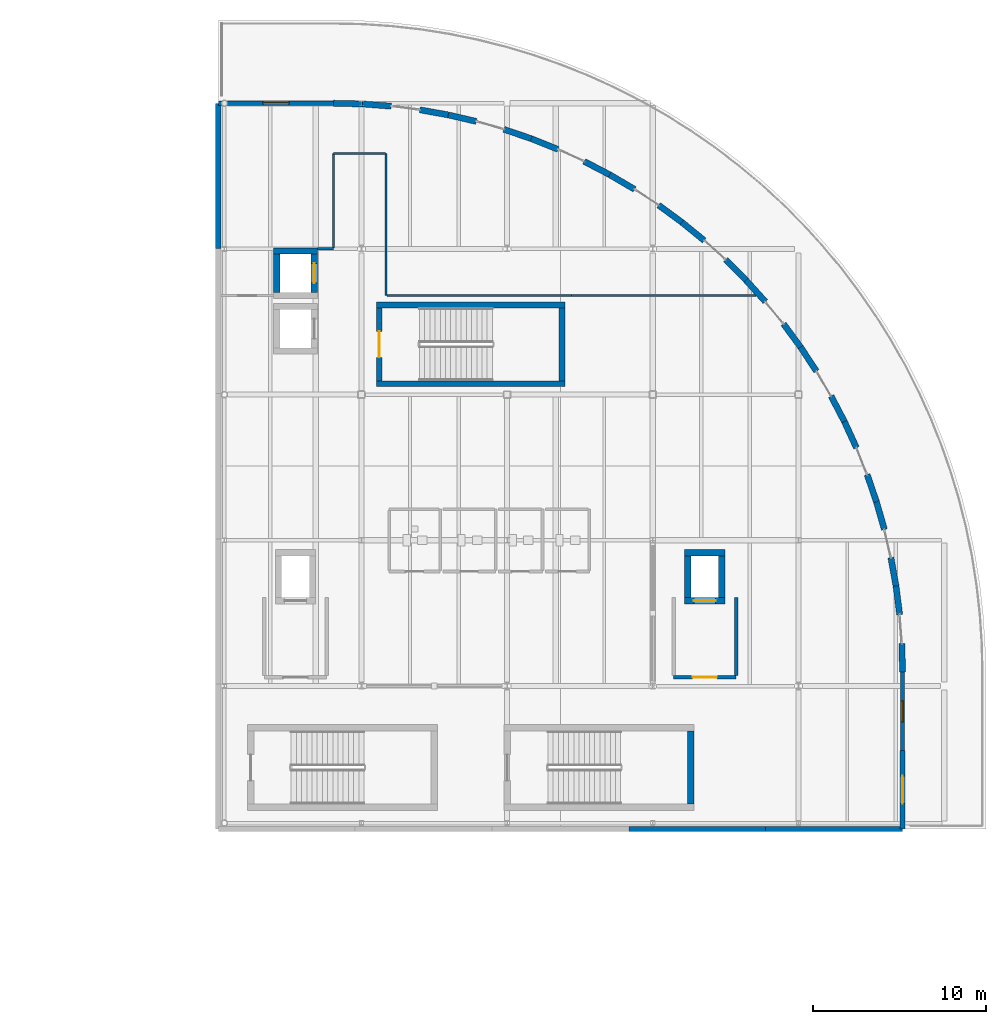
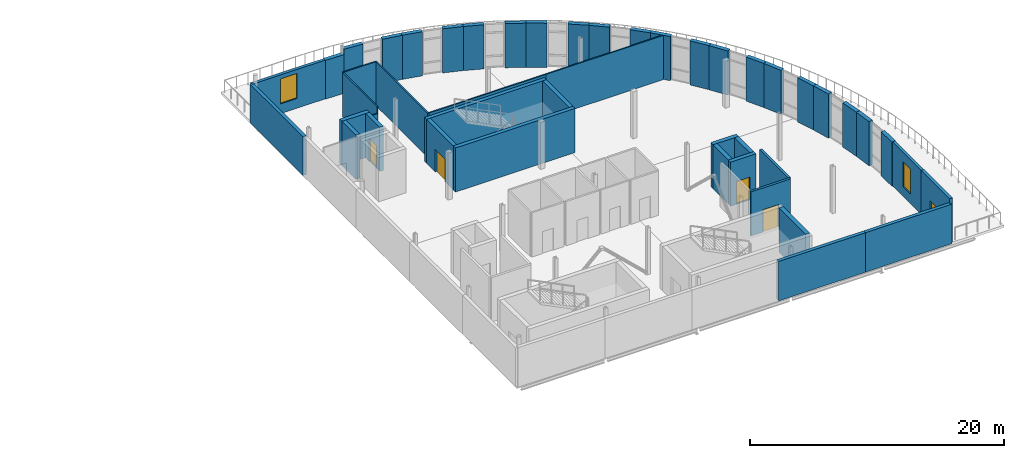
# One storey, part 23 of 40: 47 walls, 5 doors, 2 windows, 7 openings.
"""IFC4 building model written with IfcOpenShell, lengths in metres."""

from ifc_helpers import new_model, si_unit, direction, frame, frame_2d, origin, place, context, subcontext, project, spatial, rectangle, extrude, material, layer, layer_set, type_object, element, fill, save


model = new_model("IFC4")

# Units and contexts
model_context = context("Model", 3, precision=1e-05, world=origin(), true_north=direction((0.0, 1.0)))
body_context = subcontext(model_context, "Body", "Model", "MODEL_VIEW")
ifc_project = project(units=[si_unit("LENGTHUNIT", "METRE"), si_unit("AREAUNIT", "SQUARE_METRE"), si_unit("VOLUMEUNIT", "CUBIC_METRE"), si_unit("PLANEANGLEUNIT", "RADIAN"), si_unit("MASSUNIT", "GRAM", prefix="KILO"), si_unit("THERMODYNAMICTEMPERATUREUNIT", "KELVIN")], contexts=[model_context])

# Site, building, storey
site_placement = place(None, origin())
site = spatial("IfcSite", under=ifc_project, at=site_placement, CompositionType="ELEMENT")
building_placement = place(site_placement, origin())
building = spatial("IfcBuilding", under=site, at=building_placement, Name="Lustrewick Department Store", CompositionType="ELEMENT")
storey_placement = place(building_placement, frame((0.0, 0.0, 31.800048828125)))
storey = spatial("IfcBuildingStorey", under=building, at=storey_placement, Name="L07", CompositionType="ELEMENT", Elevation=31.800048828125)

# Wall, opening, window
ifc_material_1 = material(Name="Precast concrete C40", Category="concrete")
ifc_layer_1 = layer(ifc_material_1, 0.239990234375, Name="Precast concrete C40")
ifc_layer_set_1 = layer_set([ifc_layer_1], Name="Precast concrete C40")
wall_type_1 = type_object("IfcWallType", Name="EW01", PredefinedType="STANDARD", material=ifc_layer_set_1)
wall_1_placement = place(storey_placement, frame((148.800048828125, 55.074951171875, 0.0), z_axis=(0.0, 0.0, 1.0), x_axis=(0.0, 1.0, 0.0)))
wall_1 = element("IfcWall", 1, at=wall_1_placement, inside=storey, type_object=wall_type_1, Name="L07 V4 Exterior Wall EW01", PredefinedType="STANDARD", context=body_context, shape_type="SweptSolid", body=[
    extrude(rectangle(XDim=4.525146484375, YDim=0.239990234375, at=frame_2d((2.2626953125, 0.0))), origin(), (0.0, 0.0, 1.0), 4.244873046875),
])
opening_1_placement = place(wall_1_placement, frame((1.66259765625, 0.0, 0.949951171875)))
opening_1 = element("IfcOpeningElement", 2, at=opening_1_placement, cuts=wall_1, Name="Opening WN13", PredefinedType="OPENING", context=body_context, shape_type="SweptSolid", body=[
    extrude(rectangle(XDim=1.199951171875, YDim=2.39990234375, at=frame_2d((0.60009765625, 1.199951171875))), frame((0.0, 0.1298828125, 0.0), z_axis=(0.0, -1.0, 0.0), x_axis=(1.0, 0.0, 0.0)), (0.0, 0.0, 1.0), 0.260009765625),
])
ifc_material_2 = material(Name="Thermally broken Low-E triple-glazed window", Category="glass")
window_type_1 = type_object("IfcWindowType", Name="WN13", PartitioningType="DOUBLE_PANEL_VERTICAL", PredefinedType="WINDOW", material=ifc_material_2)
window_1_placement = place(opening_1_placement, origin())
window_1 = element("IfcWindow", 3, at=window_1_placement, inside=storey, type_object=window_type_1, Name="L07 Art Nouveau Window WN13", OverallHeight=2.39990234375, OverallWidth=1.199951171875, PartitioningType="SINGLE_PANEL", PredefinedType="WINDOW", context=body_context, shape_type="SweptSolid", body=[
    extrude(rectangle(XDim=1.199951171875, YDim=2.39990234375, at=frame_2d((0.60009765625, 1.199951171875))), frame((0.0, 0.030029296875, 0.0), z_axis=(0.0, -1.0, 0.0), x_axis=(1.0, 0.0, 0.0)), (0.0, 0.0, 1.0), 0.06005859375),
])
fill(opening_1, window_1)

ifc_layer_2 = layer(ifc_material_1, 0.260009765625, Name="Precast concrete C40")
ifc_layer_set_2 = layer_set([ifc_layer_2], Name="Precast concrete C40")
wall_type_2 = type_object("IfcWallType", Name="EW02", PredefinedType="STANDARD", material=ifc_layer_set_2)
wall_2_placement = place(storey_placement, frame((116.0, 92.39990234375, 0.0), z_axis=(0.0, 0.0, 1.0), x_axis=(-1.0, 0.0, 0.0)))
wall_2 = element("IfcWall", 4, at=wall_2_placement, inside=storey, type_object=wall_type_2, Name="L07 V4 Exterior Wall EW02", PredefinedType="STANDARD", context=body_context, shape_type="SweptSolid", body=[
    extrude(rectangle(XDim=6.64990234375, YDim=0.260009765625, at=frame_2d((3.324951171875, 0.0))), origin(), (0.0, 0.0, 1.0), 3.73095703125),
])
opening_2_placement = place(wall_2_placement, frame((2.574951171875, 0.0, 0.949951171875)))
opening_2 = element("IfcOpeningElement", 5, at=opening_2_placement, cuts=wall_2, Name="Opening WN14", PredefinedType="OPENING", context=body_context, shape_type="SweptSolid", body=[
    extrude(rectangle(XDim=1.5, YDim=2.39990234375, at=frame_2d((0.75, 1.199951171875))), frame((0.0, 0.14013671875, 0.0), z_axis=(0.0, -1.0, 0.0), x_axis=(1.0, 0.0, 0.0)), (0.0, 0.0, 1.0), 0.280029296875),
])
window_type_2 = type_object("IfcWindowType", Name="WN14", PartitioningType="DOUBLE_PANEL_VERTICAL", PredefinedType="WINDOW", material=ifc_material_2)
window_2_placement = place(opening_2_placement, origin())
window_2 = element("IfcWindow", 6, at=window_2_placement, inside=storey, type_object=window_type_2, Name="L07 Art Nouveau Window WN14", OverallHeight=2.39990234375, OverallWidth=1.5, PartitioningType="SINGLE_PANEL", PredefinedType="WINDOW", context=body_context, shape_type="SweptSolid", body=[
    extrude(rectangle(XDim=1.5, YDim=2.39990234375, at=frame_2d((0.75, 1.199951171875))), frame((0.0, 0.030029296875, 0.0), z_axis=(0.0, -1.0, 0.0), x_axis=(1.0, 0.0, 0.0)), (0.0, 0.0, 1.0), 0.06005859375),
])
fill(opening_2, window_2)

# Wall, opening, door
ifc_layer_3 = layer(ifc_material_1, 0.280029296875, Name="Precast concrete C40")
ifc_layer_set_3 = layer_set([ifc_layer_3], Name="Precast concrete C40")
wall_type_3 = type_object("IfcWallType", Name="EW03", PredefinedType="STANDARD", material=ifc_layer_set_3)
wall_3_placement = place(storey_placement, frame((148.800048828125, 50.550048828125, 0.0), z_axis=(0.0, 0.0, 1.0), x_axis=(0.0, 1.0, 0.0)))
wall_3 = element("IfcWall", 7, at=wall_3_placement, inside=storey, type_object=wall_type_3, Name="L07 V4 Exterior Wall EW03", PredefinedType="STANDARD", context=body_context, shape_type="SweptSolid", body=[
    extrude(rectangle(XDim=4.52490234375, YDim=0.280029296875, at=frame_2d((2.262451171875, 0.0))), origin(), (0.0, 0.0, 1.0), 4.244873046875),
])
opening_3_placement = place(wall_3_placement, frame((1.46240234375, 0.0, 0.0)))
opening_3 = element("IfcOpeningElement", 8, at=opening_3_placement, cuts=wall_3, Name="Opening D-TR08", PredefinedType="OPENING", context=body_context, shape_type="SweptSolid", body=[
    extrude(rectangle(XDim=1.60009765625, YDim=2.199951171875, at=frame_2d((0.800048828125, 1.10009765625))), frame((0.0, 0.14990234375, 0.0), z_axis=(0.0, -1.0, 0.0), x_axis=(1.0, 0.0, 0.0)), (0.0, 0.0, 1.0), 0.300048828125),
])
ifc_material_3 = material(Name="Steel fire-rated terrace exit door EI 60", Category="steel")
door_type_1 = type_object("IfcDoorType", Name="DT-03", OperationType="NOTDEFINED", PredefinedType="DOOR", material=ifc_material_3)
door_1_placement = place(opening_3_placement, frame((1.60009765625, 0.0, 0.0), z_axis=(0.0, 0.0, 1.0), x_axis=(-1.0, 0.0, 0.0)))
door_1 = element("IfcDoor", 9, at=door_1_placement, inside=storey, type_object=door_type_1, Name="L07 Terrace and Refuge Access Door D-TR08", OperationType="DOUBLE_DOOR_SINGLE_SWING", OverallHeight=2.199951171875, OverallWidth=1.60009765625, PredefinedType="DOOR", context=body_context, shape_type="SweptSolid", body=[
    extrude(rectangle(XDim=1.60009765625, YDim=2.199951171875, at=frame_2d((0.800048828125, 1.10009765625))), frame((0.0, 0.02490234375, 0.0), z_axis=(0.0, -1.0, 0.0), x_axis=(1.0, 0.0, 0.0)), (0.0, 0.0, 1.0), 0.050048828125),
])
fill(opening_3, door_1)

# Walls
ifc_layer_4 = layer(ifc_material_1, 0.300048828125, Name="Precast concrete C40")
ifc_layer_set_4 = layer_set([ifc_layer_4], Name="Precast concrete C40")
wall_type_4 = type_object("IfcWallType", Name="EW04", PredefinedType="STANDARD", material=ifc_layer_set_4)
wall_4_placement = place(storey_placement, frame((133.02001953125, 50.550048828125, 0.0), z_axis=(0.0, 0.0, 1.0), x_axis=(1.0, 0.0, 0.0)))
element("IfcWall", 10, at=wall_4_placement, inside=storey, type_object=wall_type_4, Name="L07 V4 Exterior Wall EW04", PredefinedType="STANDARD", context=body_context, shape_type="SweptSolid", body=[
    extrude(rectangle(XDim=7.889892578125, YDim=0.300048828125, at=frame_2d((3.94482421875, 0.0))), origin(), (0.0, 0.0, 1.0), 3.796875),
])
wall_5_placement = place(storey_placement, frame((140.909912109375, 50.550048828125, 0.0), z_axis=(0.0, 0.0, 1.0), x_axis=(1.0, 0.0, 0.0)))
element("IfcWall", 11, at=wall_5_placement, inside=storey, type_object=wall_type_4, Name="L07 V4 Exterior Wall EW04", PredefinedType="STANDARD", context=body_context, shape_type="SweptSolid", body=[
    extrude(rectangle(XDim=7.89013671875, YDim=0.300048828125, at=frame_2d((3.945068359375, 0.0))), origin(), (0.0, 0.0, 1.0), 3.796875),
])
wall_6_placement = place(storey_placement, frame((109.35009765625, 92.39990234375, 0.0), z_axis=(0.0, 0.0, 1.0), x_axis=(0.0, -1.0, 0.0)))
element("IfcWall", 12, at=wall_6_placement, inside=storey, type_object=wall_type_4, Name="L07 V4 Exterior Wall EW04", PredefinedType="STANDARD", context=body_context, shape_type="SweptSolid", body=[
    extrude(rectangle(XDim=8.369873046875, YDim=0.300048828125, at=frame_2d((4.18505859375, 0.0))), origin(), (0.0, 0.0, 1.0), 3.73095703125),
])
ifc_layer_5 = layer(ifc_material_1, 0.35009765625, Name="Precast concrete C40")
ifc_layer_set_5 = layer_set([ifc_layer_5], Name="Precast concrete C40")
wall_type_5 = type_object("IfcWallType", Name="EW06", PredefinedType="STANDARD", material=ifc_layer_set_5)
wall_7_placement = place(storey_placement, frame((148.800048828125, 59.60009765625, 0.0), z_axis=(0.0, 0.0, 1.0), x_axis=(-0.025418004921, 0.999676910319, 0.0)))
element("IfcWall", 13, at=wall_7_placement, inside=storey, type_object=wall_type_5, Name="L07 V4 Exterior Wall EW06", PredefinedType="STANDARD", context=body_context, shape_type="SweptSolid", body=[
    extrude(rectangle(XDim=1.66162109375, YDim=0.35009765625, at=frame_2d((0.830810546875, 0.0))), origin(), (0.0, 0.0, 1.0), 4.244873046875),
])
for number, where, z_axis, x_axis, name in (
    (14, (148.631591796875, 62.918212890625, 0.0), (0.0, 0.0, 1.0), (-0.126185943306, 0.992006606688, 0.0), "L07 V4 Exterior Wall EW06"),
    (15, (148.421875, 64.56689453125, 0.0), (0.0, 0.0, 1.0), (-0.17644144432, 0.98431113817, 0.0), "L07 V4 Exterior Wall EW06"),
    (16, (147.7529296875, 67.8212890625, 0.0), (0.0, 0.0, 1.0), (-0.27499273934, 0.961446302874, 0.0), "L07 V4 Exterior Wall EW06"),
    (17, (147.2958984375, 69.419189453125, 0.0), (0.0, 0.0, 1.0), (-0.323490398793, 0.9462314526, 0.0), "L07 V4 Exterior Wall EW06"),
    (18, (146.141845703125, 72.534912109375, 0.0), (0.0, 0.0, 1.0), (-0.41752967819, 0.908663286279, 0.0), "L07 V4 Exterior Wall EW06"),
):
    element("IfcWall", number, at=place(storey_placement, frame(where, z_axis=z_axis, x_axis=x_axis)), inside=storey, type_object=wall_type_5, Name=name, PredefinedType="STANDARD", context=body_context, shape_type="SweptSolid", body=[
        extrude(rectangle(XDim=1.661865234375, YDim=0.35009765625, at=frame_2d((0.8310546875, 0.0))), origin(), (0.0, 0.0, 1.0), 4.244873046875),
    ])
wall_8_placement = place(storey_placement, frame((145.447998046875, 74.044921875, 0.0), z_axis=(0.0, 0.0, 1.0), x_axis=(-0.462952589206, 0.886383043694, 0.0)))
element("IfcWall", 19, at=wall_8_placement, inside=storey, type_object=wall_type_5, Name="L07 V4 Exterior Wall EW06", PredefinedType="STANDARD", context=body_context, shape_type="SweptSolid", body=[
    extrude(rectangle(XDim=1.66162109375, YDim=0.35009765625, at=frame_2d((0.830810546875, 0.0))), origin(), (0.0, 0.0, 1.0), 4.244873046875),
])
wall_9_placement = place(storey_placement, frame((143.83544921875, 76.949951171875, 0.0), z_axis=(0.0, 0.0, 1.0), x_axis=(-0.550285431353, 0.83497661287, 0.0)))
element("IfcWall", 20, at=wall_9_placement, inside=storey, type_object=wall_type_5, Name="L07 V4 Exterior Wall EW06", PredefinedType="STANDARD", context=body_context, shape_type="SweptSolid", body=[
    extrude(rectangle(XDim=1.661865234375, YDim=0.35009765625, at=frame_2d((0.8310546875, 0.0))), origin(), (0.0, 0.0, 1.0), 4.244873046875),
])
for number, where, z_axis, x_axis, name in (
    (21, (142.9208984375, 78.337646484375, 0.0), (0.0, 0.0, 1.0), (-0.591834928338, 0.806059189886, 0.0), "L07 V4 Exterior Wall EW06"),
    (22, (140.88720703125, 80.965087890625, 0.0), (0.0, 0.0, 1.0), (-0.670424584355, 0.741977679376, 0.0), "L07 V4 Exterior Wall EW06"),
):
    element("IfcWall", number, at=place(storey_placement, frame(where, z_axis=z_axis, x_axis=x_axis)), inside=storey, type_object=wall_type_5, Name=name, PredefinedType="STANDARD", context=body_context, shape_type="SweptSolid", body=[
        extrude(rectangle(XDim=1.66162109375, YDim=0.35009765625, at=frame_2d((0.830810546875, 0.0))), origin(), (0.0, 0.0, 1.0), 4.244873046875),
    ])
wall_10_placement = place(storey_placement, frame((139.773193359375, 82.197998046875, 0.0), z_axis=(0.0, 0.0, 1.0), x_axis=(-0.707033326995, 0.707180227749, 0.0)))
element("IfcWall", 23, at=wall_10_placement, inside=storey, type_object=wall_type_5, Name="L07 V4 Exterior Wall EW06", PredefinedType="STANDARD", context=body_context, shape_type="SweptSolid", body=[
    extrude(rectangle(XDim=1.661865234375, YDim=0.35009765625, at=frame_2d((0.8310546875, 0.0))), origin(), (0.0, 0.0, 1.0), 4.244873046875),
])
wall_11_placement = place(storey_placement, frame((137.364990234375, 84.4873046875, 0.0), z_axis=(0.0, 0.0, 1.0), x_axis=(-0.775029758243, 0.631924737479, 0.0)))
element("IfcWall", 24, at=wall_11_placement, inside=storey, type_object=wall_type_5, Name="L07 V4 Exterior Wall EW06", PredefinedType="STANDARD", context=body_context, shape_type="SweptSolid", body=[
    extrude(rectangle(XDim=1.66162109375, YDim=0.35009765625, at=frame_2d((0.830810546875, 0.0))), origin(), (0.0, 0.0, 1.0), 4.244873046875),
])
for number, where, z_axis, x_axis, name in (
    (25, (136.0771484375, 85.537353515625, 0.0), (0.0, 0.0, 1.0), (-0.806040564705, 0.591860294368, 0.0), "L07 V4 Exterior Wall EW06"),
    (26, (133.35009765625, 87.435546875, 0.0), (0.0, 0.0, 1.0), (-0.861779333141, 0.507283334016, 0.0), "L07 V4 Exterior Wall EW06"),
):
    element("IfcWall", number, at=place(storey_placement, frame(where, z_axis=z_axis, x_axis=x_axis)), inside=storey, type_object=wall_type_5, Name=name, PredefinedType="STANDARD", context=body_context, shape_type="SweptSolid", body=[
        extrude(rectangle(XDim=1.661865234375, YDim=0.35009765625, at=frame_2d((0.8310546875, 0.0))), origin(), (0.0, 0.0, 1.0), 4.244873046875),
    ])
wall_12_placement = place(storey_placement, frame((131.91796875, 88.278564453125, 0.0), z_axis=(0.0, 0.0, 1.0), x_axis=(-0.886354246744, 0.46300772054, 0.0)))
element("IfcWall", 27, at=wall_12_placement, inside=storey, type_object=wall_type_5, Name="L07 V4 Exterior Wall EW06", PredefinedType="STANDARD", context=body_context, shape_type="SweptSolid", body=[
    extrude(rectangle(XDim=1.662109375, YDim=0.35009765625, at=frame_2d((0.8310546875, 0.0))), origin(), (0.0, 0.0, 1.0), 4.244873046875),
])
for number, where, z_axis, x_axis, name in (
    (28, (128.934814453125, 89.74169921875, 0.0), (0.0, 0.0, 1.0), (-0.928598219221, 0.371086711241, 0.0), "L07 V4 Exterior Wall EW06"),
    (29, (127.3916015625, 90.3583984375, 0.0), (0.0, 0.0, 1.0), (-0.946276413519, 0.323358855171, 0.0), "L07 V4 Exterior Wall EW06"),
    (30, (124.221435546875, 91.352783203125, 0.0), (0.0, 0.0, 1.0), (-0.974108177864, 0.226082413774, 0.0), "L07 V4 Exterior Wall EW06"),
    (31, (122.6025390625, 91.728515625, 0.0), (0.0, 0.0, 1.0), (-0.98431113817, 0.17644144432, 0.0), "L07 V4 Exterior Wall EW06"),
    (32, (119.318359375, 92.231689453125, 0.0), (0.0, 0.0, 1.0), (-0.997111247326, 0.075954989667, 0.0), "L07 V4 Exterior Wall EW06"),
):
    element("IfcWall", number, at=place(storey_placement, frame(where, z_axis=z_axis, x_axis=x_axis)), inside=storey, type_object=wall_type_5, Name=name, PredefinedType="STANDARD", context=body_context, shape_type="SweptSolid", body=[
        extrude(rectangle(XDim=1.661865234375, YDim=0.35009765625, at=frame_2d((0.8310546875, 0.0))), origin(), (0.0, 0.0, 1.0), 4.244873046875),
    ])
wall_13_placement = place(storey_placement, frame((117.661376953125, 92.35791015625, 0.0), z_axis=(0.0, 0.0, 1.0), x_axis=(-0.999680726692, 0.025267462894, 0.0)))
element("IfcWall", 33, at=wall_13_placement, inside=storey, type_object=wall_type_5, Name="L07 V4 Exterior Wall EW06", PredefinedType="STANDARD", context=body_context, shape_type="SweptSolid", body=[
    extrude(rectangle(XDim=1.661865234375, YDim=0.35009765625, at=frame_2d((0.8310546875, 0.0))), origin(), (0.0, 0.0, 1.0), 3.73095703125),
])

# Wall, opening, door
ifc_material_4 = material(Name="Autoclaved aerated concrete blockwork and fire board", Category="masonry")
ifc_layer_6 = layer(ifc_material_4, 0.205078125, Name="Autoclaved aerated concrete blockwork and fire board")
ifc_layer_set_6 = layer_set([ifc_layer_6], Name="Autoclaved aerated concrete blockwork and fire board")
wall_type_6 = type_object("IfcWallType", Name="PW02", PredefinedType="PARTITIONING", material=ifc_layer_set_6)
wall_14_placement = place(storey_placement, frame((135.60009765625, 59.300048828125, 0.0), z_axis=(0.0, 0.0, 1.0), x_axis=(1.0, 0.0, 0.0)))
wall_14 = element("IfcWall", 34, at=wall_14_placement, inside=storey, type_object=wall_type_6, Name="L07 Firefighting Lift Lobby FFL-03 PW02", PredefinedType="PARTITIONING", context=body_context, shape_type="SweptSolid", body=[
    extrude(rectangle(XDim=3.599853515625, YDim=0.205078125, at=frame_2d((1.7998046875, 0.0))), origin(), (0.0, 0.0, 1.0), 4.244873046875),
])
opening_4_placement = place(wall_14_placement, frame((1.10009765625, 0.0, 0.0)))
opening_4 = element("IfcOpeningElement", 35, at=opening_4_placement, cuts=wall_14, Name="Opening D-L07-041", PredefinedType="OPENING", context=body_context, shape_type="SweptSolid", body=[
    extrude(rectangle(XDim=1.39990234375, YDim=2.14990234375, at=frame_2d((0.699951171875, 1.074951171875))), frame((0.0, 0.112548828125, 0.0), z_axis=(0.0, -1.0, 0.0), x_axis=(1.0, 0.0, 0.0)), (0.0, 0.0, 1.0), 0.22509765625),
])
ifc_material_5 = material(Name="Steel fire door Class B EI 60", Category="steel")
door_type_2 = type_object("IfcDoorType", Name="DT-08", OperationType="NOTDEFINED", PredefinedType="DOOR", material=ifc_material_5)
door_2_placement = place(opening_4_placement, origin())
door_2 = element("IfcDoor", 36, at=door_2_placement, inside=storey, type_object=door_type_2, Name="L07 Firefighting Lift Lobby FFL-03 Door D-L07-041", OperationType="SINGLE_SWING_RIGHT", OverallHeight=2.14990234375, OverallWidth=1.39990234375, PredefinedType="DOOR", context=body_context, shape_type="SweptSolid", body=[
    extrude(rectangle(XDim=1.39990234375, YDim=2.14990234375, at=frame_2d((0.699951171875, 1.074951171875))), frame((0.0, 0.02490234375, 0.0), z_axis=(0.0, -1.0, 0.0), x_axis=(1.0, 0.0, 0.0)), (0.0, 0.0, 1.0), 0.050048828125),
])
fill(opening_4, door_2)

# Walls
wall_15_placement = place(storey_placement, frame((139.199951171875, 59.3974609375, 0.0), z_axis=(0.0, 0.0, 1.0), x_axis=(0.0, 1.0, 0.0)))
element("IfcWall", 37, at=wall_15_placement, inside=storey, type_object=wall_type_6, Name="L07 Firefighting Lift Lobby FFL-03 PW02", PredefinedType="PARTITIONING", context=body_context, shape_type="SweptSolid", body=[
    extrude(rectangle(XDim=4.50244140625, YDim=0.205078125, at=frame_2d((2.251220703125, 0.0))), origin(), (0.0, 0.0, 1.0), 4.244873046875),
])
ifc_material_6 = material(Name="Acoustic gypsum stud office partition", Category="gypsum")
ifc_layer_7 = layer(ifc_material_6, 0.1201171875, Name="Acoustic gypsum stud office partition")
ifc_layer_set_7 = layer_set([ifc_layer_7], Name="Acoustic gypsum stud office partition")
wall_type_7 = type_object("IfcWallType", Name="PW07", PredefinedType="PARTITIONING", material=ifc_layer_set_7)
wall_16_placement = place(storey_placement, frame((119.010009765625, 89.5, 0.0), z_axis=(0.0, 0.0, 1.0), x_axis=(0.0, -1.0, 0.0)))
element("IfcWall", 38, at=wall_16_placement, inside=storey, type_object=wall_type_7, Name="L07 Store Administration Office PW07", PredefinedType="PARTITIONING", context=body_context, shape_type="SweptSolid", body=[
    extrude(rectangle(XDim=8.194580078125, YDim=0.1201171875, at=frame_2d((4.09716796875, 0.0))), origin(), (0.0, 0.0, 1.0), 4.244873046875),
])
wall_17_placement = place(storey_placement, frame((115.06005859375, 84.010009765625, 0.0), z_axis=(0.0, 0.0, 1.0), x_axis=(1.0, 0.0, 0.0)))
element("IfcWall", 39, at=wall_17_placement, inside=storey, type_object=wall_type_7, Name="L07 Store Administration Office PW07", PredefinedType="PARTITIONING", context=body_context, shape_type="SweptSolid", body=[
    extrude(rectangle(XDim=0.929931640625, YDim=0.1201171875, at=frame_2d((0.46484375, 0.0))), origin(), (0.0, 0.0, 1.0), 3.640869140625),
])
wall_18_placement = place(storey_placement, frame((119.06494140625, 81.305419921875, 0.0), z_axis=(0.0, 0.0, 1.0), x_axis=(1.0, 0.0, 0.0)))
element("IfcWall", 40, at=wall_18_placement, inside=storey, type_object=wall_type_7, Name="L07 Store Administration Office PW07", PredefinedType="PARTITIONING", context=body_context, shape_type="SweptSolid", body=[
    extrude(rectangle(XDim=10.635498046875, YDim=0.1201171875, at=frame_2d((5.31787109375, 0.0))), origin(), (0.0, 0.0, 1.0), 4.244873046875),
])
wall_19_placement = place(storey_placement, frame((129.700439453125, 81.305419921875, 0.0), z_axis=(0.0, 0.0, 1.0), x_axis=(1.0, 0.0, 0.0)))
element("IfcWall", 41, at=wall_19_placement, inside=storey, type_object=wall_type_7, Name="L07 Store Administration Office PW07", PredefinedType="PARTITIONING", context=body_context, shape_type="SweptSolid", body=[
    extrude(rectangle(XDim=10.650146484375, YDim=0.1201171875, at=frame_2d((5.3251953125, 0.0))), origin(), (0.0, 0.0, 1.0), 4.244873046875),
])
wall_20_placement = place(storey_placement, frame((115.989990234375, 84.06494140625, 0.0), z_axis=(0.0, 0.0, 1.0), x_axis=(0.0, 1.0, 0.0)))
element("IfcWall", 42, at=wall_20_placement, inside=storey, type_object=wall_type_7, Name="L07 Store Administration Office PW07", PredefinedType="PARTITIONING", context=body_context, shape_type="SweptSolid", body=[
    extrude(rectangle(XDim=5.43505859375, YDim=0.1201171875, at=frame_2d((2.717529296875, 0.0))), origin(), (0.0, 0.0, 1.0), 4.244873046875),
])
wall_21_placement = place(storey_placement, frame((116.0, 89.510009765625, 0.0), z_axis=(0.0, 0.0, 1.0), x_axis=(1.0, 0.0, 0.0)))
element("IfcWall", 43, at=wall_21_placement, inside=storey, type_object=wall_type_7, Name="L07 Store Administration Office PW07", PredefinedType="PARTITIONING", context=body_context, shape_type="SweptSolid", body=[
    extrude(rectangle(XDim=3.0, YDim=0.1201171875, at=frame_2d((1.5, 0.0))), origin(), (0.0, 0.0, 1.0), 4.244873046875),
])
ifc_material_7 = material(Name="Concrete C40", Category="concrete")
ifc_layer_8 = layer(ifc_material_7, 0.3798828125, Name="Concrete C40")
ifc_layer_set_8 = layer_set([ifc_layer_8], Name="Concrete C40")
wall_type_8 = type_object("IfcWallType", Name="SW03", PredefinedType="SHEAR", material=ifc_layer_set_8)
wall_22_placement = place(storey_placement, frame((136.590087890625, 52.0, 0.0), z_axis=(0.0, 0.0, 1.0), x_axis=(0.0, 1.0, 0.0)))
element("IfcWall", 44, at=wall_22_placement, inside=storey, type_object=wall_type_8, Name="L07 Stair Core ST11 Shear Wall E", PredefinedType="SHEAR", context=body_context, shape_type="SweptSolid", body=[
    extrude(rectangle(XDim=4.199951171875, YDim=0.3798828125, at=frame_2d((2.10009765625, 0.0))), origin(), (0.0, 0.0, 1.0), 4.244873046875),
])

# Wall, opening, door
ifc_layer_9 = layer(ifc_material_7, 0.360107421875, Name="Concrete C40")
ifc_layer_set_9 = layer_set([ifc_layer_9], Name="Concrete C40")
wall_type_9 = type_object("IfcWallType", Name="SW04", PredefinedType="SHEAR", material=ifc_layer_set_9)
wall_23_placement = place(storey_placement, frame((136.239990234375, 63.719970703125, 0.0), z_axis=(0.0, 0.0, 1.0), x_axis=(1.0, 0.0, 0.0)))
wall_23 = element("IfcWall", 45, at=wall_23_placement, inside=storey, type_object=wall_type_9, Name="L07 Lift FFL-03 Shaft Wall -Y", PredefinedType="SHEAR", context=body_context, shape_type="SweptSolid", body=[
    extrude(rectangle(XDim=2.320068359375, YDim=0.360107421875, at=frame_2d((1.16015625, 0.0))), origin(), (0.0, 0.0, 1.0), 4.244873046875),
])
opening_5_placement = place(wall_23_placement, frame((0.534912109375, 0.0, 0.0)))
opening_5 = element("IfcOpeningElement", 46, at=opening_5_placement, cuts=wall_23, Name="Opening LD-L07-01", PredefinedType="OPENING", context=body_context, shape_type="SweptSolid", body=[
    extrude(rectangle(XDim=1.25, YDim=2.199951171875, at=frame_2d((0.625, 1.10009765625))), frame((0.0, 0.18994140625, 0.0), z_axis=(0.0, -1.0, 0.0), x_axis=(1.0, 0.0, 0.0)), (0.0, 0.0, 1.0), 0.380126953125),
])
ifc_material_8 = material(Name="Stainless steel firefighting lift landing door EI 90", Category="steel")
door_type_3 = type_object("IfcDoorType", Name="DT-15", OperationType="NOTDEFINED", PredefinedType="DOOR", material=ifc_material_8)
door_3_placement = place(opening_5_placement, frame((1.25, 0.0, 0.0), z_axis=(0.0, 0.0, 1.0), x_axis=(-1.0, 0.0, 0.0)))
door_3 = element("IfcDoor", 47, at=door_3_placement, inside=storey, type_object=door_type_3, Name="L07 Lift FFL-03 Sliding Landing Door LD-L07-01", OperationType="DOUBLE_DOOR_SLIDING", OverallHeight=2.199951171875, OverallWidth=1.25, PredefinedType="DOOR", context=body_context, shape_type="SweptSolid", body=[
    extrude(rectangle(XDim=1.25, YDim=2.199951171875, at=frame_2d((0.625, 1.10009765625))), frame((0.0, 0.02490234375, 0.0), z_axis=(0.0, -1.0, 0.0), x_axis=(1.0, 0.0, 0.0)), (0.0, 0.0, 1.0), 0.050048828125),
])
fill(opening_5, door_3)

# Walls
wall_24_placement = place(storey_placement, frame((138.3798828125, 63.89990234375, 0.0), z_axis=(0.0, 0.0, 1.0), x_axis=(0.0, 1.0, 0.0)))
element("IfcWall", 48, at=wall_24_placement, inside=storey, type_object=wall_type_9, Name="L07 Lift FFL-03 Shaft Wall +X", PredefinedType="SHEAR", context=body_context, shape_type="SweptSolid", body=[
    extrude(rectangle(XDim=2.400146484375, YDim=0.360107421875, at=frame_2d((1.2001953125, 0.0))), origin(), (0.0, 0.0, 1.0), 4.244873046875),
])
wall_25_placement = place(storey_placement, frame((138.56005859375, 66.47998046875, 0.0), z_axis=(0.0, 0.0, 1.0), x_axis=(-1.0, 0.0, 0.0)))
element("IfcWall", 49, at=wall_25_placement, inside=storey, type_object=wall_type_9, Name="L07 Lift FFL-03 Shaft Wall +Y", PredefinedType="SHEAR", context=body_context, shape_type="SweptSolid", body=[
    extrude(rectangle(XDim=2.320068359375, YDim=0.360107421875, at=frame_2d((1.16015625, 0.0))), origin(), (0.0, 0.0, 1.0), 4.244873046875),
])
wall_26_placement = place(storey_placement, frame((136.419921875, 66.300048828125, 0.0), z_axis=(0.0, 0.0, 1.0), x_axis=(0.0, -1.0, 0.0)))
element("IfcWall", 50, at=wall_26_placement, inside=storey, type_object=wall_type_9, Name="L07 Lift FFL-03 Shaft Wall -X", PredefinedType="SHEAR", context=body_context, shape_type="SweptSolid", body=[
    extrude(rectangle(XDim=2.400146484375, YDim=0.360107421875, at=frame_2d((1.2001953125, 0.0))), origin(), (0.0, 0.0, 1.0), 4.244873046875),
])

# Wall, opening, door
wall_27_placement = place(storey_placement, frame((114.8798828125, 81.5, 0.0), z_axis=(0.0, 0.0, 1.0), x_axis=(0.0, 1.0, 0.0)))
wall_27 = element("IfcWall", 51, at=wall_27_placement, inside=storey, type_object=wall_type_9, Name="L07 Lift PL-08 Shaft Wall +X", PredefinedType="SHEAR", context=body_context, shape_type="SweptSolid", body=[
    extrude(rectangle(XDim=2.199951171875, YDim=0.360107421875, at=frame_2d((1.10009765625, 0.0))), origin(), (0.0, 0.0, 1.0), 4.244873046875),
])
opening_6_placement = place(wall_27_placement, frame((0.52490234375, 0.0, 0.0)))
opening_6 = element("IfcOpeningElement", 52, at=opening_6_placement, cuts=wall_27, Name="Opening LD-L07-06", PredefinedType="OPENING", context=body_context, shape_type="SweptSolid", body=[
    extrude(rectangle(XDim=1.14990234375, YDim=2.199951171875, at=frame_2d((0.574951171875, 1.10009765625))), frame((0.0, 0.18994140625, 0.0), z_axis=(0.0, -1.0, 0.0), x_axis=(1.0, 0.0, 0.0)), (0.0, 0.0, 1.0), 0.380126953125),
])
ifc_material_9 = material(Name="Brushed bronze passenger lift landing door EI 60", Category="steel")
door_type_4 = type_object("IfcDoorType", Name="DT-16", OperationType="NOTDEFINED", PredefinedType="DOOR", material=ifc_material_9)
door_4_placement = place(opening_6_placement, frame((1.14990234375, 0.0, 0.0), z_axis=(0.0, 0.0, 1.0), x_axis=(-1.0, 0.0, 0.0)))
door_4 = element("IfcDoor", 53, at=door_4_placement, inside=storey, type_object=door_type_4, Name="L07 Lift PL-08 Sliding Landing Door LD-L07-06", OperationType="DOUBLE_DOOR_SLIDING", OverallHeight=2.199951171875, OverallWidth=1.14990234375, PredefinedType="DOOR", context=body_context, shape_type="SweptSolid", body=[
    extrude(rectangle(XDim=1.14990234375, YDim=2.199951171875, at=frame_2d((0.574951171875, 1.10009765625))), frame((0.0, 0.02490234375, 0.0), z_axis=(0.0, -1.0, 0.0), x_axis=(1.0, 0.0, 0.0)), (0.0, 0.0, 1.0), 0.050048828125),
])
fill(opening_6, door_4)

# Walls
wall_28_placement = place(storey_placement, frame((115.06005859375, 83.8798828125, 0.0), z_axis=(0.0, 0.0, 1.0), x_axis=(-1.0, 0.0, 0.0)))
element("IfcWall", 54, at=wall_28_placement, inside=storey, type_object=wall_type_9, Name="L07 Lift PL-08 Shaft Wall +Y", PredefinedType="SHEAR", context=body_context, shape_type="SweptSolid", body=[
    extrude(rectangle(XDim=2.52001953125, YDim=0.360107421875, at=frame_2d((1.260009765625, 0.0))), origin(), (0.0, 0.0, 1.0), 4.244873046875),
])
wall_29_placement = place(storey_placement, frame((112.719970703125, 83.699951171875, 0.0), z_axis=(0.0, 0.0, 1.0), x_axis=(0.0, -1.0, 0.0)))
element("IfcWall", 55, at=wall_29_placement, inside=storey, type_object=wall_type_9, Name="L07 Lift PL-08 Shaft Wall -X", PredefinedType="SHEAR", context=body_context, shape_type="SweptSolid", body=[
    extrude(rectangle(XDim=2.199951171875, YDim=0.360107421875, at=frame_2d((1.10009765625, 0.0))), origin(), (0.0, 0.0, 1.0), 4.244873046875),
])
ifc_layer_10 = layer(ifc_material_7, 0.340087890625, Name="Concrete C40")
ifc_layer_set_10 = layer_set([ifc_layer_10], Name="Concrete C40")
wall_type_10 = type_object("IfcWallType", Name="SW05", PredefinedType="SHEAR", material=ifc_layer_set_10)
wall_30_placement = place(storey_placement, frame((118.4599609375, 76.22998046875, 0.0), z_axis=(0.0, 0.0, 1.0), x_axis=(1.0, 0.0, 0.0)))
element("IfcWall", 56, at=wall_30_placement, inside=storey, type_object=wall_type_10, Name="L07 Stair Core ST10 Shear Wall S", PredefinedType="SHEAR", context=body_context, shape_type="SweptSolid", body=[
    extrude(rectangle(XDim=10.880126953125, YDim=0.340087890625, at=frame_2d((5.43994140625, 0.0))), origin(), (0.0, 0.0, 1.0), 4.244873046875),
])
wall_31_placement = place(storey_placement, frame((129.169921875, 76.39990234375, 0.0), z_axis=(0.0, 0.0, 1.0), x_axis=(0.0, 1.0, 0.0)))
element("IfcWall", 57, at=wall_31_placement, inside=storey, type_object=wall_type_10, Name="L07 Stair Core ST10 Shear Wall E", PredefinedType="SHEAR", context=body_context, shape_type="SweptSolid", body=[
    extrude(rectangle(XDim=4.2001953125, YDim=0.340087890625, at=frame_2d((2.10009765625, 0.0))), origin(), (0.0, 0.0, 1.0), 4.244873046875),
])
wall_32_placement = place(storey_placement, frame((129.340087890625, 80.77001953125, 0.0), z_axis=(0.0, 0.0, 1.0), x_axis=(-1.0, 0.0, 0.0)))
element("IfcWall", 58, at=wall_32_placement, inside=storey, type_object=wall_type_10, Name="L07 Stair Core ST10 Shear Wall N", PredefinedType="SHEAR", context=body_context, shape_type="SweptSolid", body=[
    extrude(rectangle(XDim=10.880126953125, YDim=0.340087890625, at=frame_2d((5.43994140625, 0.0))), origin(), (0.0, 0.0, 1.0), 4.244873046875),
])

# Wall, opening, door
wall_33_placement = place(storey_placement, frame((118.6298828125, 80.60009765625, 0.0), z_axis=(0.0, 0.0, 1.0), x_axis=(0.0, -1.0, 0.0)))
wall_33 = element("IfcWall", 59, at=wall_33_placement, inside=storey, type_object=wall_type_10, Name="L07 Stair Core ST10 Shear Wall W", PredefinedType="SHEAR", context=body_context, shape_type="SweptSolid", body=[
    extrude(rectangle(XDim=4.2001953125, YDim=0.340087890625, at=frame_2d((2.10009765625, 0.0))), origin(), (0.0, 0.0, 1.0), 4.244873046875),
])
opening_7_placement = place(wall_33_placement, frame((1.35009765625, 0.0, 0.0)))
opening_7 = element("IfcOpeningElement", 60, at=opening_7_placement, cuts=wall_33, Name="Opening D-L07-004", PredefinedType="OPENING", context=body_context, shape_type="SweptSolid", body=[
    extrude(rectangle(XDim=1.5, YDim=2.14990234375, at=frame_2d((0.75, 1.074951171875))), frame((0.0, 0.18017578125, 0.0), z_axis=(0.0, -1.0, 0.0), x_axis=(1.0, 0.0, 0.0)), (0.0, 0.0, 1.0), 0.360107421875),
])
door_type_5 = type_object("IfcDoorType", Name="DT-07", OperationType="NOTDEFINED", PredefinedType="DOOR", material=ifc_material_5)
door_5_placement = place(opening_7_placement, origin())
door_5 = element("IfcDoor", 61, at=door_5_placement, inside=storey, type_object=door_type_5, Name="L07 Smoke-Proof Stair ST10 Fire Door", OperationType="SINGLE_SWING_RIGHT", OverallHeight=2.14990234375, OverallWidth=1.5, PredefinedType="DOOR", context=body_context, shape_type="SweptSolid", body=[
    extrude(rectangle(XDim=1.5, YDim=2.14990234375, at=frame_2d((0.75, 1.074951171875))), frame((0.0, 0.02490234375, 0.0), z_axis=(0.0, -1.0, 0.0), x_axis=(1.0, 0.0, 0.0)), (0.0, 0.0, 1.0), 0.050048828125),
])
fill(opening_7, door_5)

save(model, "model.ifc")
